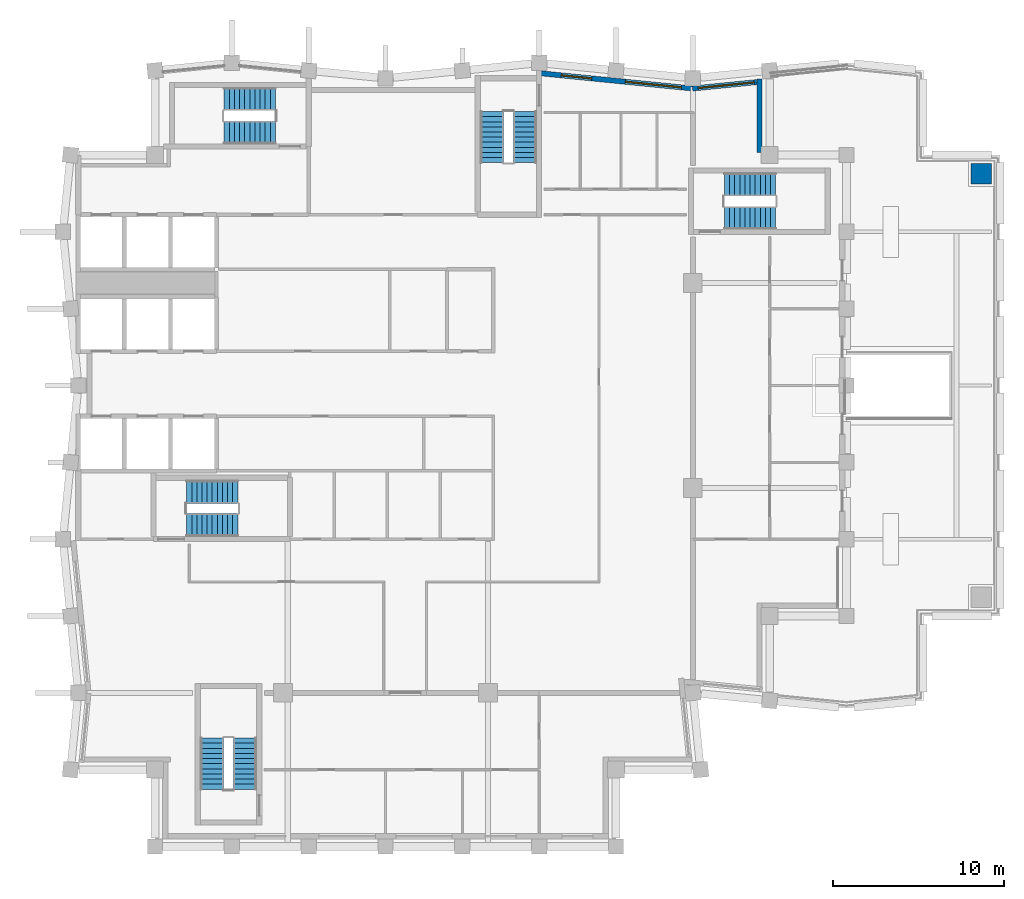
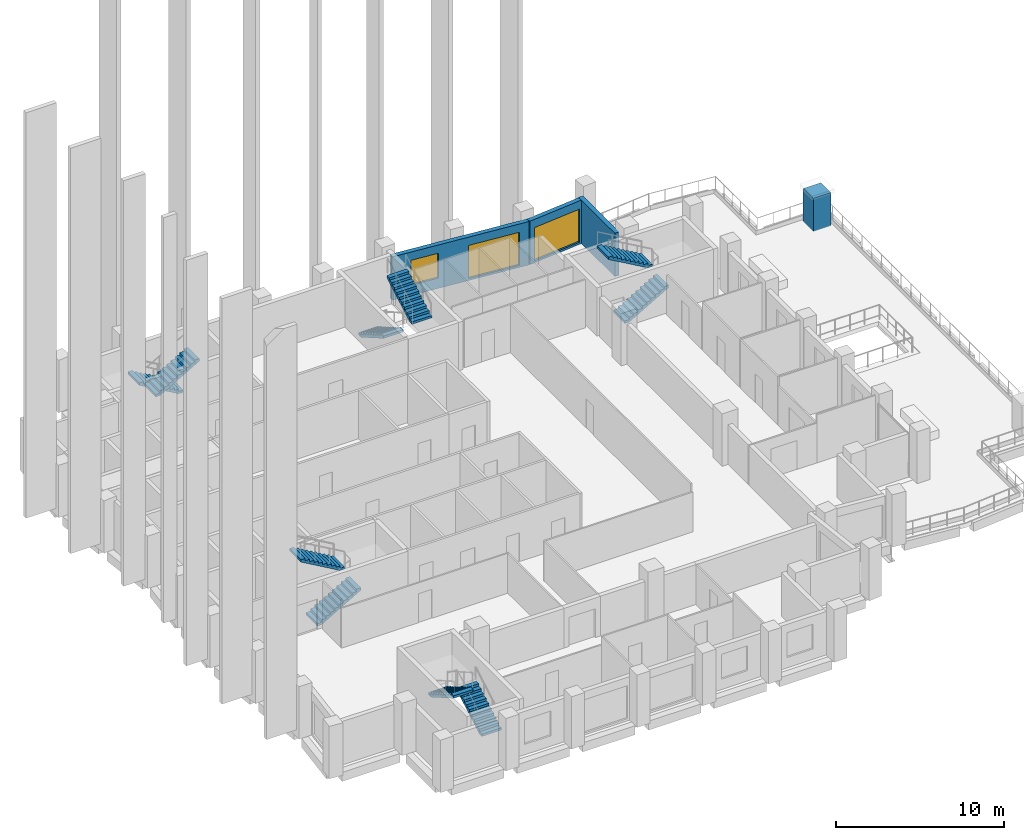
# One storey, part 8 of 11: 10 stair flights, 4 walls, 3 windows, 3 openings, 5 elements without a shape of their own.
"""IFC4 building model written with IfcOpenShell, lengths in metres."""

from ifc_helpers import new_model, si_unit, direction, frame, frame_2d, origin, place, context, subcontext, project, spatial, polyline, rectangle, outline, extrude, material, layer, layer_set, type_object, element, fill, aggregate, save


model = new_model("IFC4")

# Units and contexts
model_context = context("Model", 3, precision=1e-05, world=origin(), true_north=direction((0.0, 1.0)))
body_context = subcontext(model_context, "Body", "Model", "MODEL_VIEW")
ifc_project = project(units=[si_unit("LENGTHUNIT", "METRE"), si_unit("AREAUNIT", "SQUARE_METRE"), si_unit("VOLUMEUNIT", "CUBIC_METRE"), si_unit("PLANEANGLEUNIT", "RADIAN"), si_unit("MASSUNIT", "GRAM", prefix="KILO")], contexts=[model_context])

# Site, building, storey
site_placement = place(None, origin())
site = spatial("IfcSite", under=ifc_project, at=site_placement, CompositionType="ELEMENT")
building_placement = place(site_placement, origin())
building = spatial("IfcBuilding", under=site, at=building_placement, Name="Brondeck Convention Tower", CompositionType="ELEMENT")
storey_placement = place(building_placement, frame((0.0, 0.0, 252.39990234375)))
storey = spatial("IfcBuildingStorey", under=building, at=storey_placement, Name="L62", CompositionType="ELEMENT", Elevation=252.39990234375)

# Wall
ifc_material_1 = material(Name="Precast concrete C50/60 bronze finish", Category="concrete")
ifc_layer_1 = layer(ifc_material_1, 0.070068359375, Name="Bronze precast facing")
ifc_material_2 = material(Name="Mineral wool")
ifc_layer_2 = layer(ifc_material_2, 0.159912109375, Name="Insulation")
ifc_material_3 = material(Name="Concrete C35/45", Category="concrete")
ifc_layer_3 = layer(ifc_material_3, 0.070068359375, Name="Backing")
ifc_layer_set_1 = layer_set([ifc_layer_1, ifc_layer_2, ifc_layer_3], Name="External infill wall, precast concrete C50/60 bronze facing")
wall_type_1 = type_object("IfcWallType", Name="External infill wall, precast concrete C50/60 bronze facing", PredefinedType="SOLIDWALL", material=ifc_layer_set_1)
wall_1_placement = place(storey_placement, frame((39.89990234375, 62.952880859375, 0.0), z_axis=(0.0, 0.0, 1.0), x_axis=(0.0, -1.0, 0.0)))
element("IfcWall", 1, at=wall_1_placement, inside=storey, type_object=wall_type_1, Name="ENV-EW-L62-P3-NC-NEA45-02", PredefinedType="SOLIDWALL", context=body_context, shape_type="SweptSolid", body=[
    extrude(rectangle(XDim=4.302978515625, YDim=0.300048828125, at=frame_2d((2.1513671875, 0.0))), origin(), (0.0, 0.0, 1.0), 3.150146484375),
])

# Wall, opening, window
wall_2_placement = place(storey_placement, frame((35.985107421875, 62.3955078125, 0.0), z_axis=(0.0, 0.0, 1.0), x_axis=(0.99503719021, 0.099503719021, 0.0)))
wall_2 = element("IfcWall", 2, at=wall_2_placement, inside=storey, type_object=wall_type_1, Name="ENV-EW-L62-P3-A-N-08", PredefinedType="SOLIDWALL", context=body_context, shape_type="SweptSolid", body=[
    extrude(rectangle(XDim=3.778564453125, YDim=0.300048828125, at=frame_2d((1.88916015625, 0.0))), origin(), (0.0, 0.0, 1.0), 3.150146484375),
])
opening_1_placement = place(wall_2_placement, frame((0.32861328125, 0.0, 0.14990234375)))
opening_1 = element("IfcOpeningElement", 3, at=opening_1_placement, cuts=wall_2, Name="Opening W9", PredefinedType="OPENING", context=body_context, shape_type="SweptSolid", body=[
    extrude(rectangle(XDim=3.300048828125, YDim=2.39990234375, at=frame_2d((1.64990234375, 1.199951171875))), frame((0.0, 0.159912109375, 0.0), z_axis=(0.0, -1.0, 0.0), x_axis=(1.0, 0.0, 0.0)), (0.0, 0.0, 1.0), 0.320068359375),
])
ifc_material_4 = material(Name="Bronze tinted double glazing", Category="glass")
window_type_1 = type_object("IfcWindowType", Name="Glazed flute window, bronze tinted", PartitioningType="SINGLE_PANEL", PredefinedType="WINDOW", material=ifc_material_4)
window_1_placement = place(opening_1_placement, origin())
window_1 = element("IfcWindow", 4, at=window_1_placement, inside=storey, type_object=window_type_1, Name="ENV-WN-L62-P3-A-N-08", OverallHeight=2.39990234375, OverallWidth=3.300048828125, PartitioningType="SINGLE_PANEL", PredefinedType="WINDOW", context=body_context, shape_type="SweptSolid", body=[
    extrude(rectangle(XDim=3.300048828125, YDim=2.39990234375, at=frame_2d((1.64990234375, 1.199951171875))), frame((0.0, 0.030029296875, 0.0), z_axis=(0.0, -1.0, 0.0), x_axis=(1.0, 0.0, 0.0)), (0.0, 0.0, 1.0), 0.06005859375),
])
fill(opening_1, window_1)

# Wall, openings, windows
wall_3_placement = place(storey_placement, frame((27.089599609375, 63.2880859375, 0.0), z_axis=(0.0, 0.0, 1.0), x_axis=(0.995035835913, -0.09951726106, 0.0)))
wall_3 = element("IfcWall", 5, at=wall_3_placement, inside=storey, type_object=wall_type_1, Name="ENV-EW-L62-P3-A-N-07", PredefinedType="SOLIDWALL", context=body_context, shape_type="SweptSolid", body=[
    extrude(rectangle(XDim=8.9248046875, YDim=0.300048828125, at=frame_2d((4.46240234375, 0.0))), origin(), (0.0, 0.0, 1.0), 3.150146484375),
])
opening_2_placement = place(wall_3_placement, frame((1.211181640625, 0.0, 0.75)))
opening_2 = element("IfcOpeningElement", 6, at=opening_2_placement, cuts=wall_3, Name="Opening W10", PredefinedType="OPENING", context=body_context, shape_type="SweptSolid", body=[
    extrude(rectangle(XDim=1.800048828125, YDim=1.800048828125, at=frame_2d((0.89990234375, 0.89990234375))), frame((0.0, 0.159912109375, 0.0), z_axis=(0.0, -1.0, 0.0), x_axis=(1.0, 0.0, 0.0)), (0.0, 0.0, 1.0), 0.320068359375),
])
opening_3_placement = place(wall_3_placement, frame((4.983642578125, 0.0, 0.14990234375)))
opening_3 = element("IfcOpeningElement", 7, at=opening_3_placement, cuts=wall_3, Name="Opening W9", PredefinedType="OPENING", context=body_context, shape_type="SweptSolid", body=[
    extrude(rectangle(XDim=3.300048828125, YDim=2.39990234375, at=frame_2d((1.64990234375, 1.199951171875))), frame((0.0, 0.159912109375, 0.0), z_axis=(0.0, -1.0, 0.0), x_axis=(1.0, 0.0, 0.0)), (0.0, 0.0, 1.0), 0.320068359375),
])
window_2_placement = place(opening_3_placement, origin())
window_2 = element("IfcWindow", 8, at=window_2_placement, inside=storey, type_object=window_type_1, Name="ENV-WN-L62-P3-A-N-07", OverallHeight=2.39990234375, OverallWidth=3.300048828125, PartitioningType="SINGLE_PANEL", PredefinedType="WINDOW", context=body_context, shape_type="SweptSolid", body=[
    extrude(rectangle(XDim=3.300048828125, YDim=2.39990234375, at=frame_2d((1.64990234375, 1.199951171875))), frame((0.0, 0.030029296875, 0.0), z_axis=(0.0, -1.0, 0.0), x_axis=(1.0, 0.0, 0.0)), (0.0, 0.0, 1.0), 0.06005859375),
])
fill(opening_3, window_2)
window_type_2 = type_object("IfcWindowType", Name="Punched window, bronze tinted", PartitioningType="SINGLE_PANEL", PredefinedType="WINDOW", material=ifc_material_4)
window_3_placement = place(opening_2_placement, origin())
window_3 = element("IfcWindow", 9, at=window_3_placement, inside=storey, type_object=window_type_2, Name="ENV-WN-L62-P3-A-N-06", OverallHeight=1.800048828125, OverallWidth=1.800048828125, PartitioningType="SINGLE_PANEL", PredefinedType="WINDOW", context=body_context, shape_type="SweptSolid", body=[
    extrude(rectangle(XDim=1.800048828125, YDim=1.800048828125, at=frame_2d((0.89990234375, 0.89990234375))), frame((0.0, 0.030029296875, 0.0), z_axis=(0.0, -1.0, 0.0), x_axis=(1.0, 0.0, 0.0)), (0.0, 0.0, 1.0), 0.06005859375),
])
fill(opening_2, window_3)

# Wall
ifc_layer_4 = layer(ifc_material_1, 1.199951171875)
ifc_layer_set_2 = layer_set([ifc_layer_4], Name="Terrace finial shaft, precast concrete C50/60")
wall_type_2 = type_object("IfcWallType", Name="Terrace finial shaft, precast concrete C50/60", PredefinedType="SOLIDWALL", material=ifc_layer_set_2)
wall_4_placement = place(storey_placement, origin())
element("IfcWall", 10, at=wall_4_placement, inside=storey, type_object=wall_type_2, Name="ENV-FT-S3-1-2-S", PredefinedType="SOLIDWALL", context=body_context, shape_type="SweptSolid", body=[
    extrude(outline(polyline([(53.5, 56.800048828125), (53.5, 58.0), (52.300048828125, 58.0), (52.300048828125, 56.800048828125), (53.5, 56.800048828125)])), origin(), (0.0, 0.0, 1.0), 2.400146484375),
])

# Stair, stair flights
ifc_material_5 = material(Name="Precast concrete C50/60", Category="concrete")
stair_type = type_object("IfcStairType", Name="Core stair 22 risers 172.73 mm riser 300 mm going 1350 wide", PredefinedType="HALF_TURN_STAIR", material=ifc_material_5)
stair_1_placement = place(storey_placement, origin())
stair_1 = element("IfcStair", 11, at=stair_1_placement, inside=storey, type_object=stair_type, Name="ST-1 L62 stair", PredefinedType="HALF_TURN_STAIR")
stair_flight_type = type_object("IfcStairFlightType", Name="Core stair flight 22 risers 172.73 mm riser 300 mm going 1350 wide", PredefinedType="STRAIGHT", material=ifc_material_5)
stair_flight_1_placement = place(storey_placement, frame((6.35009765625, 36.824951171875, 0.0), z_axis=(0.0, 0.0, 1.0), x_axis=(1.0, 0.0, 0.0)))
stair_flight_1 = element("IfcStairFlight", 12, at=stair_flight_1_placement, type_object=stair_flight_type, Name="ST-1 flight 1", NumberOfRisers=11, NumberOfTreads=10, PredefinedType="STRAIGHT", RiserHeight=0.172727273, TreadLength=0.3, context=body_context, shape_type="SweptSolid", body=[
    extrude(outline(polyline([(0.0, 0.0), (0.0, 0.172607421875), (0.300048828125, 0.172607421875), (0.300048828125, 0.345458984375), (0.60009765625, 0.345458984375), (0.60009765625, 0.51806640625), (0.89990234375, 0.51806640625), (0.89990234375, 0.69091796875), (1.199951171875, 0.69091796875), (1.199951171875, 0.863525390625), (1.5, 0.863525390625), (1.5, 1.036376953125), (1.800048828125, 1.036376953125), (1.800048828125, 1.208984375), (2.10009765625, 1.208984375), (2.10009765625, 1.3818359375), (2.39990234375, 1.3818359375), (2.39990234375, 1.554443359375), (2.699951171875, 1.554443359375), (2.699951171875, 1.727294921875), (3.0, 1.727294921875), (3.0, 1.89990234375), (3.0, 1.55419921875), (0.300537109375, 0.0), (0.0, 0.0)])), frame((0.0, 0.675048828125, 0.0), z_axis=(0.0, -1.0, 0.0), x_axis=(1.0, 0.0, 0.0)), (0.0, 0.0, 1.0), 1.35009765625),
])
stair_flight_2_placement = place(storey_placement, frame((9.35009765625, 38.77490234375, 1.900146484375), z_axis=(0.0, 0.0, 1.0), x_axis=(-1.0, 0.0, 0.0)))
stair_flight_2 = element("IfcStairFlight", 13, at=stair_flight_2_placement, type_object=stair_flight_type, Name="ST-1 flight 2", NumberOfRisers=11, NumberOfTreads=10, PredefinedType="STRAIGHT", RiserHeight=0.172727273, TreadLength=0.3, context=body_context, shape_type="SweptSolid", body=[
    extrude(outline(polyline([(0.0, 0.0), (0.0, 0.172607421875), (0.300048828125, 0.172607421875), (0.300048828125, 0.345458984375), (0.60009765625, 0.345458984375), (0.60009765625, 0.51806640625), (0.89990234375, 0.51806640625), (0.89990234375, 0.69091796875), (1.199951171875, 0.69091796875), (1.199951171875, 0.863525390625), (1.5, 0.863525390625), (1.5, 1.036376953125), (1.800048828125, 1.036376953125), (1.800048828125, 1.208984375), (2.10009765625, 1.208984375), (2.10009765625, 1.3818359375), (2.39990234375, 1.3818359375), (2.39990234375, 1.554443359375), (2.699951171875, 1.554443359375), (2.699951171875, 1.727294921875), (3.0, 1.727294921875), (3.0, 1.89990234375), (3.0, 1.55419921875), (0.300537109375, 0.0), (0.0, 0.0)])), frame((0.0, 0.675048828125, 0.0), z_axis=(0.0, -1.0, 0.0), x_axis=(1.0, 0.0, 0.0)), (0.0, 0.0, 1.0), 1.35009765625),
])
aggregate(stair_1, [stair_flight_1, stair_flight_2])

stair_2_placement = place(storey_placement, origin())
stair_2 = element("IfcStair", 14, at=stair_2_placement, inside=storey, type_object=stair_type, Name="ST-2 L62 stair", PredefinedType="HALF_TURN_STAIR")
stair_flight_3_placement = place(storey_placement, frame((24.22509765625, 61.050048828125, 0.0), z_axis=(0.0, 0.0, 1.0), x_axis=(0.0, -1.0, 0.0)))
stair_flight_3 = element("IfcStairFlight", 15, at=stair_flight_3_placement, type_object=stair_flight_type, Name="ST-2 flight 1", NumberOfRisers=11, NumberOfTreads=10, PredefinedType="STRAIGHT", RiserHeight=0.172727273, TreadLength=0.3, context=body_context, shape_type="SweptSolid", body=[
    extrude(outline(polyline([(0.0, 0.0), (0.0, 0.172607421875), (0.300048828125, 0.172607421875), (0.300048828125, 0.345458984375), (0.60009765625, 0.345458984375), (0.60009765625, 0.51806640625), (0.89990234375, 0.51806640625), (0.89990234375, 0.69091796875), (1.199951171875, 0.69091796875), (1.199951171875, 0.863525390625), (1.5, 0.863525390625), (1.5, 1.036376953125), (1.800048828125, 1.036376953125), (1.800048828125, 1.208984375), (2.10009765625, 1.208984375), (2.10009765625, 1.3818359375), (2.39990234375, 1.3818359375), (2.39990234375, 1.554443359375), (2.699951171875, 1.554443359375), (2.699951171875, 1.727294921875), (3.0, 1.727294921875), (3.0, 1.89990234375), (3.0, 1.55419921875), (0.300537109375, 0.0), (0.0, 0.0)])), frame((0.0, 0.675048828125, 0.0), z_axis=(0.0, -1.0, 0.0), x_axis=(1.0, 0.0, 0.0)), (0.0, 0.0, 1.0), 1.35009765625),
])
stair_flight_4_placement = place(storey_placement, frame((26.175048828125, 58.050048828125, 1.900146484375), z_axis=(0.0, 0.0, 1.0), x_axis=(0.0, 1.0, 0.0)))
stair_flight_4 = element("IfcStairFlight", 16, at=stair_flight_4_placement, type_object=stair_flight_type, Name="ST-2 flight 2", NumberOfRisers=11, NumberOfTreads=10, PredefinedType="STRAIGHT", RiserHeight=0.172727273, TreadLength=0.3, context=body_context, shape_type="SweptSolid", body=[
    extrude(outline(polyline([(0.0, 0.0), (0.0, 0.172607421875), (0.300048828125, 0.172607421875), (0.300048828125, 0.345458984375), (0.60009765625, 0.345458984375), (0.60009765625, 0.51806640625), (0.89990234375, 0.51806640625), (0.89990234375, 0.69091796875), (1.199951171875, 0.69091796875), (1.199951171875, 0.863525390625), (1.5, 0.863525390625), (1.5, 1.036376953125), (1.800048828125, 1.036376953125), (1.800048828125, 1.208984375), (2.10009765625, 1.208984375), (2.10009765625, 1.3818359375), (2.39990234375, 1.3818359375), (2.39990234375, 1.554443359375), (2.699951171875, 1.554443359375), (2.699951171875, 1.727294921875), (3.0, 1.727294921875), (3.0, 1.89990234375), (3.0, 1.55419921875), (0.300537109375, 0.0), (0.0, 0.0)])), frame((0.0, 0.675048828125, 0.0), z_axis=(0.0, -1.0, 0.0), x_axis=(1.0, 0.0, 0.0)), (0.0, 0.0, 1.0), 1.35009765625),
])
aggregate(stair_2, [stair_flight_3, stair_flight_4])

stair_3_placement = place(storey_placement, origin())
stair_3 = element("IfcStair", 17, at=stair_3_placement, inside=storey, type_object=stair_type, Name="ST-3 L62 stair", PredefinedType="HALF_TURN_STAIR")
stair_flight_5_placement = place(storey_placement, frame((11.550048828125, 61.77490234375, 0.0), z_axis=(0.0, 0.0, 1.0), x_axis=(-1.0, 0.0, 0.0)))
stair_flight_5 = element("IfcStairFlight", 18, at=stair_flight_5_placement, type_object=stair_flight_type, Name="ST-3 flight 1", NumberOfRisers=11, NumberOfTreads=10, PredefinedType="STRAIGHT", RiserHeight=0.172727273, TreadLength=0.3, context=body_context, shape_type="SweptSolid", body=[
    extrude(outline(polyline([(0.0, 0.0), (0.0, 0.172607421875), (0.300048828125, 0.172607421875), (0.300048828125, 0.345458984375), (0.60009765625, 0.345458984375), (0.60009765625, 0.51806640625), (0.89990234375, 0.51806640625), (0.89990234375, 0.69091796875), (1.199951171875, 0.69091796875), (1.199951171875, 0.863525390625), (1.5, 0.863525390625), (1.5, 1.036376953125), (1.800048828125, 1.036376953125), (1.800048828125, 1.208984375), (2.10009765625, 1.208984375), (2.10009765625, 1.3818359375), (2.39990234375, 1.3818359375), (2.39990234375, 1.554443359375), (2.699951171875, 1.554443359375), (2.699951171875, 1.727294921875), (3.0, 1.727294921875), (3.0, 1.89990234375), (3.0, 1.55419921875), (0.300537109375, 0.0), (0.0, 0.0)])), frame((0.0, 0.675048828125, 0.0), z_axis=(0.0, -1.0, 0.0), x_axis=(1.0, 0.0, 0.0)), (0.0, 0.0, 1.0), 1.35009765625),
])
stair_flight_6_placement = place(storey_placement, frame((8.550048828125, 59.824951171875, 1.900146484375), z_axis=(0.0, 0.0, 1.0), x_axis=(1.0, 0.0, 0.0)))
stair_flight_6 = element("IfcStairFlight", 19, at=stair_flight_6_placement, type_object=stair_flight_type, Name="ST-3 flight 2", NumberOfRisers=11, NumberOfTreads=10, PredefinedType="STRAIGHT", RiserHeight=0.172727273, TreadLength=0.3, context=body_context, shape_type="SweptSolid", body=[
    extrude(outline(polyline([(0.0, 0.0), (0.0, 0.172607421875), (0.300048828125, 0.172607421875), (0.300048828125, 0.345458984375), (0.60009765625, 0.345458984375), (0.60009765625, 0.51806640625), (0.89990234375, 0.51806640625), (0.89990234375, 0.69091796875), (1.199951171875, 0.69091796875), (1.199951171875, 0.863525390625), (1.5, 0.863525390625), (1.5, 1.036376953125), (1.800048828125, 1.036376953125), (1.800048828125, 1.208984375), (2.10009765625, 1.208984375), (2.10009765625, 1.3818359375), (2.39990234375, 1.3818359375), (2.39990234375, 1.554443359375), (2.699951171875, 1.554443359375), (2.699951171875, 1.727294921875), (3.0, 1.727294921875), (3.0, 1.89990234375), (3.0, 1.55419921875), (0.300537109375, 0.0), (0.0, 0.0)])), frame((0.0, 0.675048828125, 0.0), z_axis=(0.0, -1.0, 0.0), x_axis=(1.0, 0.0, 0.0)), (0.0, 0.0, 1.0), 1.35009765625),
])
aggregate(stair_3, [stair_flight_5, stair_flight_6])

stair_4_placement = place(storey_placement, origin())
stair_4 = element("IfcStair", 20, at=stair_4_placement, inside=storey, type_object=stair_type, Name="ST-AE L62 stair", PredefinedType="HALF_TURN_STAIR")
stair_flight_7_placement = place(storey_placement, frame((37.85009765625, 54.824951171875, 0.0), z_axis=(0.0, 0.0, 1.0), x_axis=(1.0, 0.0, 0.0)))
stair_flight_7 = element("IfcStairFlight", 21, at=stair_flight_7_placement, type_object=stair_flight_type, Name="ST-AE flight 1", NumberOfRisers=11, NumberOfTreads=10, PredefinedType="STRAIGHT", RiserHeight=0.172727273, TreadLength=0.3, context=body_context, shape_type="SweptSolid", body=[
    extrude(outline(polyline([(0.0, 0.0), (0.0, 0.172607421875), (0.300048828125, 0.172607421875), (0.300048828125, 0.345458984375), (0.60009765625, 0.345458984375), (0.60009765625, 0.51806640625), (0.89990234375, 0.51806640625), (0.89990234375, 0.69091796875), (1.199951171875, 0.69091796875), (1.199951171875, 0.863525390625), (1.5, 0.863525390625), (1.5, 1.036376953125), (1.800048828125, 1.036376953125), (1.800048828125, 1.208984375), (2.10009765625, 1.208984375), (2.10009765625, 1.3818359375), (2.39990234375, 1.3818359375), (2.39990234375, 1.554443359375), (2.699951171875, 1.554443359375), (2.699951171875, 1.727294921875), (3.0, 1.727294921875), (3.0, 1.89990234375), (3.0, 1.55419921875), (0.300537109375, 0.0), (0.0, 0.0)])), frame((0.0, 0.675048828125, 0.0), z_axis=(0.0, -1.0, 0.0), x_axis=(1.0, 0.0, 0.0)), (0.0, 0.0, 1.0), 1.35009765625),
])
stair_flight_8_placement = place(storey_placement, frame((40.85009765625, 56.77490234375, 1.900146484375), z_axis=(0.0, 0.0, 1.0), x_axis=(-1.0, 0.0, 0.0)))
stair_flight_8 = element("IfcStairFlight", 22, at=stair_flight_8_placement, type_object=stair_flight_type, Name="ST-AE flight 2", NumberOfRisers=11, NumberOfTreads=10, PredefinedType="STRAIGHT", RiserHeight=0.172727273, TreadLength=0.3, context=body_context, shape_type="SweptSolid", body=[
    extrude(outline(polyline([(0.0, 0.0), (0.0, 0.172607421875), (0.300048828125, 0.172607421875), (0.300048828125, 0.345458984375), (0.60009765625, 0.345458984375), (0.60009765625, 0.51806640625), (0.89990234375, 0.51806640625), (0.89990234375, 0.69091796875), (1.199951171875, 0.69091796875), (1.199951171875, 0.863525390625), (1.5, 0.863525390625), (1.5, 1.036376953125), (1.800048828125, 1.036376953125), (1.800048828125, 1.208984375), (2.10009765625, 1.208984375), (2.10009765625, 1.3818359375), (2.39990234375, 1.3818359375), (2.39990234375, 1.554443359375), (2.699951171875, 1.554443359375), (2.699951171875, 1.727294921875), (3.0, 1.727294921875), (3.0, 1.89990234375), (3.0, 1.55419921875), (0.300537109375, 0.0), (0.0, 0.0)])), frame((0.0, 0.675048828125, 0.0), z_axis=(0.0, -1.0, 0.0), x_axis=(1.0, 0.0, 0.0)), (0.0, 0.0, 1.0), 1.35009765625),
])
aggregate(stair_4, [stair_flight_7, stair_flight_8])

stair_5_placement = place(storey_placement, origin())
stair_5 = element("IfcStair", 23, at=stair_5_placement, inside=storey, type_object=stair_type, Name="ST-BE L62 stair", PredefinedType="HALF_TURN_STAIR")
stair_flight_9_placement = place(storey_placement, frame((9.77490234375, 21.35009765625, 0.0), z_axis=(0.0, 0.0, 1.0), x_axis=(0.0, 1.0, 0.0)))
stair_flight_9 = element("IfcStairFlight", 24, at=stair_flight_9_placement, type_object=stair_flight_type, Name="ST-BE flight 1", NumberOfRisers=11, NumberOfTreads=10, PredefinedType="STRAIGHT", RiserHeight=0.172727273, TreadLength=0.3, context=body_context, shape_type="SweptSolid", body=[
    extrude(outline(polyline([(0.0, 0.0), (0.0, 0.172607421875), (0.300048828125, 0.172607421875), (0.300048828125, 0.345458984375), (0.60009765625, 0.345458984375), (0.60009765625, 0.51806640625), (0.89990234375, 0.51806640625), (0.89990234375, 0.69091796875), (1.199951171875, 0.69091796875), (1.199951171875, 0.863525390625), (1.5, 0.863525390625), (1.5, 1.036376953125), (1.800048828125, 1.036376953125), (1.800048828125, 1.208984375), (2.10009765625, 1.208984375), (2.10009765625, 1.3818359375), (2.39990234375, 1.3818359375), (2.39990234375, 1.554443359375), (2.699951171875, 1.554443359375), (2.699951171875, 1.727294921875), (3.0, 1.727294921875), (3.0, 1.89990234375), (3.0, 1.55419921875), (0.300537109375, 0.0), (0.0, 0.0)])), frame((0.0, 0.675048828125, 0.0), z_axis=(0.0, -1.0, 0.0), x_axis=(1.0, 0.0, 0.0)), (0.0, 0.0, 1.0), 1.35009765625),
])
stair_flight_10_placement = place(storey_placement, frame((7.824951171875, 24.35009765625, 1.900146484375), z_axis=(0.0, 0.0, 1.0), x_axis=(0.0, -1.0, 0.0)))
stair_flight_10 = element("IfcStairFlight", 25, at=stair_flight_10_placement, type_object=stair_flight_type, Name="ST-BE flight 2", NumberOfRisers=11, NumberOfTreads=10, PredefinedType="STRAIGHT", RiserHeight=0.172727273, TreadLength=0.3, context=body_context, shape_type="SweptSolid", body=[
    extrude(outline(polyline([(0.0, 0.0), (0.0, 0.172607421875), (0.300048828125, 0.172607421875), (0.300048828125, 0.345458984375), (0.60009765625, 0.345458984375), (0.60009765625, 0.51806640625), (0.89990234375, 0.51806640625), (0.89990234375, 0.69091796875), (1.199951171875, 0.69091796875), (1.199951171875, 0.863525390625), (1.5, 0.863525390625), (1.5, 1.036376953125), (1.800048828125, 1.036376953125), (1.800048828125, 1.208984375), (2.10009765625, 1.208984375), (2.10009765625, 1.3818359375), (2.39990234375, 1.3818359375), (2.39990234375, 1.554443359375), (2.699951171875, 1.554443359375), (2.699951171875, 1.727294921875), (3.0, 1.727294921875), (3.0, 1.89990234375), (3.0, 1.55419921875), (0.300537109375, 0.0), (0.0, 0.0)])), frame((0.0, 0.675048828125, 0.0), z_axis=(0.0, -1.0, 0.0), x_axis=(1.0, 0.0, 0.0)), (0.0, 0.0, 1.0), 1.35009765625),
])
aggregate(stair_5, [stair_flight_9, stair_flight_10])

save(model, "model.ifc")
